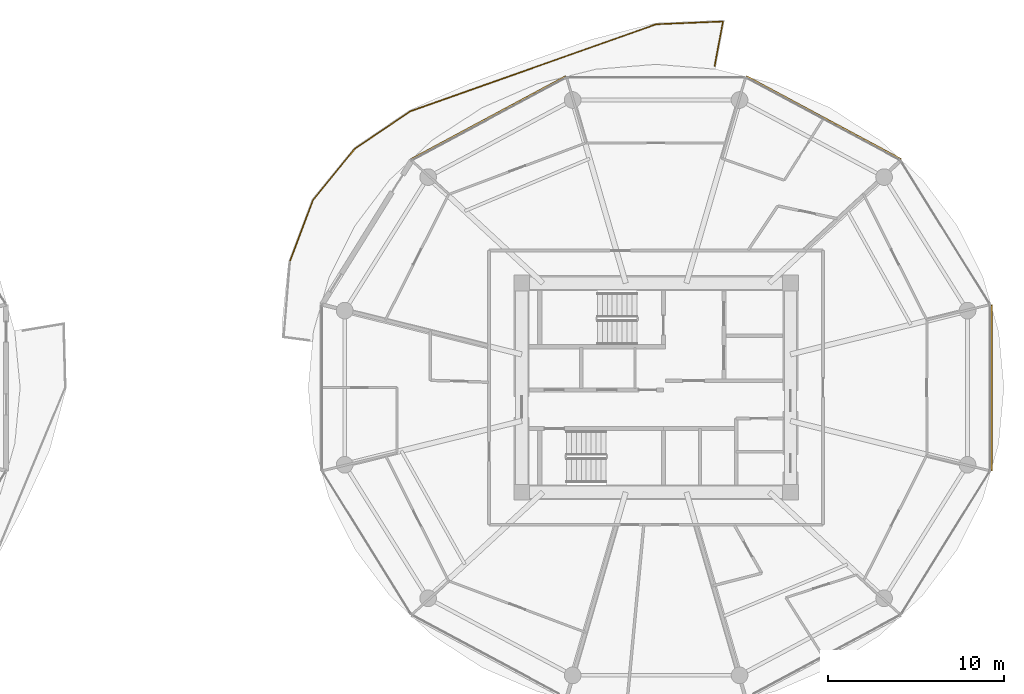
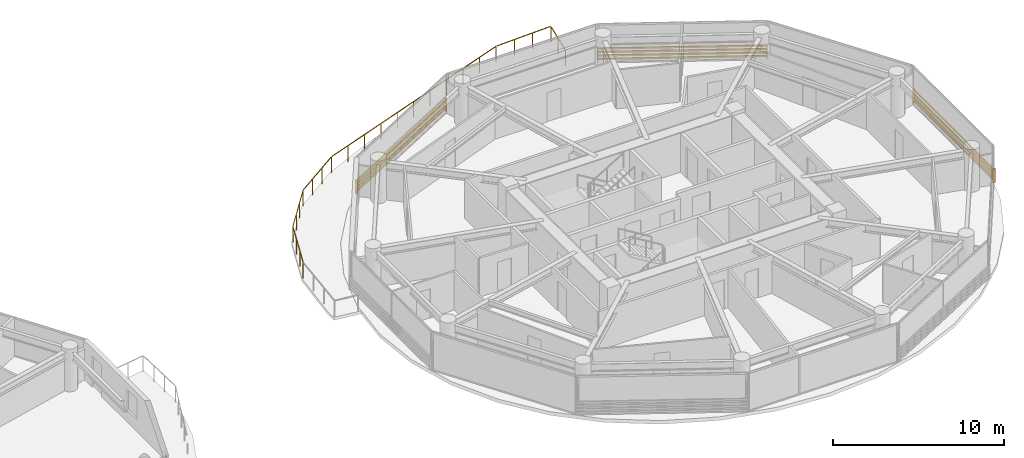
# One storey, part 27 of 27: 3 shading devices, 1 railing.
"""IFC4 building model written with IfcOpenShell, lengths in metres."""

from ifc_helpers import new_model, si_unit, direction, frame, origin, origin_2d, place, context, subcontext, project, spatial, rectangle, extrude, source, transform, mapped, material, type_object, type_shapes, element, save


model = new_model("IFC4")

# Units and contexts
model_context = context("Model", 3, precision=1e-05, world=origin(), true_north=direction((0.0, 1.0)))
body_context = subcontext(model_context, "Body", "Model", "MODEL_VIEW")
ifc_project = project(units=[si_unit("LENGTHUNIT", "METRE"), si_unit("AREAUNIT", "SQUARE_METRE"), si_unit("VOLUMEUNIT", "CUBIC_METRE"), si_unit("PLANEANGLEUNIT", "RADIAN"), si_unit("MASSUNIT", "GRAM", prefix="KILO")], contexts=[model_context])

# Site, building, storey
site_placement = place(None, origin())
site = spatial("IfcSite", under=ifc_project, at=site_placement, CompositionType="ELEMENT")
building_placement = place(site_placement, origin())
building = spatial("IfcBuilding", under=site, at=building_placement, Name="Norrkilde Senior Care Towers", CompositionType="ELEMENT")
storey_placement = place(building_placement, frame((0.0, 0.0, 58.199951171875)))
storey = spatial("IfcBuildingStorey", under=building, at=storey_placement, Name="L17", CompositionType="ELEMENT", Elevation=58.199951171875)

# Railing
ifc_material_1 = material(Name="Anodised Aluminium", Category="aluminium")
railing_type = type_object("IfcRailingType", Name="Balcony Swirl Ribbon Guardrail 1150", PredefinedType="GUARDRAIL", material=ifc_material_1)
railing_placement = place(storey_placement, frame((7.1552734375, 7.182373046875, 0.0)))
element("IfcRailing", 1, at=railing_placement, inside=storey, type_object=railing_type, Name="L17 Perimeter Safety Guard 01", PredefinedType="GUARDRAIL", context=body_context, shape_type="SweptSolid", body=[
    extrude(rectangle(XDim=0.048095703125, YDim=0.048095703125, at=origin_2d()), frame((0.0, 0.0, 1.1259765625), z_axis=(0.352740163137, 0.935721313912, 0.0), x_axis=(-0.935721313912, 0.352740163137, 0.0)), (0.0, 0.0, 1.0), 3.697998046875),
    extrude(rectangle(XDim=0.048095703125, YDim=0.048095703125, at=origin_2d()), frame((1.3447265625, 3.5302734375, 1.1259765625), z_axis=(0.632140033894, 0.774854165342, 0.0), x_axis=(-0.774854165342, 0.632140033894, 0.0)), (0.0, 0.0, 1.0), 3.68701171875),
    extrude(rectangle(XDim=0.048095703125, YDim=0.048095703125, at=origin_2d()), frame((3.735107421875, 6.441650390625, 1.1259765625), z_axis=(0.82800666103, 0.560718261956, 0.0), x_axis=(-0.560718261956, 0.82800666103, 0.0)), (0.0, 0.0, 1.0), 3.70068359375),
    extrude(rectangle(XDim=0.048095703125, YDim=0.048095703125, at=origin_2d()), frame((6.87158203125, 8.55322265625, 1.1259765625), z_axis=(0.942706391539, 0.333623529373, 0.0), x_axis=(-0.333623529373, 0.942706391539, 0.0)), (0.0, 0.0, 1.0), 14.7939453125),
    extrude(rectangle(XDim=0.048095703125, YDim=0.048095703125, at=origin_2d()), frame((20.897216796875, 13.504150390625, 1.1259765625), z_axis=(0.999133964522, 0.041609144892, 0.0), x_axis=(-0.041609144892, 0.999133964522, 0.0)), (0.0, 0.0, 1.0), 3.714599609375),
    extrude(rectangle(XDim=0.048095703125, YDim=0.048095703125, at=origin_2d()), frame((24.641845703125, 13.6201171875, 1.1259765625), z_axis=(-0.183327432598, -0.983051907306, 0.0), x_axis=(0.983051907306, -0.183327432598, 0.0)), (0.0, 0.0, 1.0), 2.535888671875),
    extrude(rectangle(XDim=0.0419921875, YDim=0.0419921875, at=origin_2d()), origin(), (0.0, 0.0, 1.0), 1.099853515625),
    extrude(rectangle(XDim=0.0419921875, YDim=0.0419921875, at=origin_2d()), frame((0.439697265625, 1.166259765625, 0.0)), (0.0, 0.0, 1.0), 1.099853515625),
    extrude(rectangle(XDim=0.0419921875, YDim=0.0419921875, at=origin_2d()), frame((0.879150390625, 2.332275390625, 0.0)), (0.0, 0.0, 1.0), 1.099853515625),
    extrude(rectangle(XDim=0.0419921875, YDim=0.0419921875, at=origin_2d()), frame((1.31884765625, 3.49853515625, 0.0)), (0.0, 0.0, 1.0), 1.099853515625),
    extrude(rectangle(XDim=0.0419921875, YDim=0.0419921875, at=origin_2d()), frame((2.113037109375, 4.471923828125, 0.0)), (0.0, 0.0, 1.0), 1.099853515625),
    extrude(rectangle(XDim=0.0419921875, YDim=0.0419921875, at=origin_2d()), frame((2.906982421875, 5.4453125, 0.0)), (0.0, 0.0, 1.0), 1.099853515625),
    extrude(rectangle(XDim=0.0419921875, YDim=0.0419921875, at=origin_2d()), frame((3.701171875, 6.418701171875, 0.0)), (0.0, 0.0, 1.0), 1.099853515625),
    extrude(rectangle(XDim=0.0419921875, YDim=0.0419921875, at=origin_2d()), frame((4.7451171875, 7.125732421875, 0.0)), (0.0, 0.0, 1.0), 1.099853515625),
    extrude(rectangle(XDim=0.0419921875, YDim=0.0419921875, at=origin_2d()), frame((5.7890625, 7.83251953125, 0.0)), (0.0, 0.0, 1.0), 1.099853515625),
    extrude(rectangle(XDim=0.0419921875, YDim=0.0419921875, at=origin_2d()), frame((6.8330078125, 8.53955078125, 0.0)), (0.0, 0.0, 1.0), 1.099853515625),
    extrude(rectangle(XDim=0.0419921875, YDim=0.0419921875, at=origin_2d()), frame((8.2353515625, 9.035888671875, 0.0)), (0.0, 0.0, 1.0), 1.099853515625),
    extrude(rectangle(XDim=0.0419921875, YDim=0.0419921875, at=origin_2d()), frame((9.6376953125, 9.5322265625, 0.0)), (0.0, 0.0, 1.0), 1.099853515625),
    extrude(rectangle(XDim=0.0419921875, YDim=0.0419921875, at=origin_2d()), frame((11.0400390625, 10.0283203125, 0.0)), (0.0, 0.0, 1.0), 1.099853515625),
    extrude(rectangle(XDim=0.0419921875, YDim=0.0419921875, at=origin_2d()), frame((12.4423828125, 10.524658203125, 0.0)), (0.0, 0.0, 1.0), 1.099853515625),
    extrude(rectangle(XDim=0.0419921875, YDim=0.0419921875, at=origin_2d()), frame((13.8447265625, 11.02099609375, 0.0)), (0.0, 0.0, 1.0), 1.099853515625),
    extrude(rectangle(XDim=0.0419921875, YDim=0.0419921875, at=origin_2d()), frame((15.2470703125, 11.517333984375, 0.0)), (0.0, 0.0, 1.0), 1.099853515625),
    extrude(rectangle(XDim=0.0419921875, YDim=0.0419921875, at=origin_2d()), frame((16.6494140625, 12.013671875, 0.0)), (0.0, 0.0, 1.0), 1.099853515625),
    extrude(rectangle(XDim=0.0419921875, YDim=0.0419921875, at=origin_2d()), frame((18.0517578125, 12.509765625, 0.0)), (0.0, 0.0, 1.0), 1.099853515625),
    extrude(rectangle(XDim=0.0419921875, YDim=0.0419921875, at=origin_2d()), frame((19.4541015625, 13.006103515625, 0.0)), (0.0, 0.0, 1.0), 1.099853515625),
    extrude(rectangle(XDim=0.0419921875, YDim=0.0419921875, at=origin_2d()), frame((20.8564453125, 13.50244140625, 0.0)), (0.0, 0.0, 1.0), 1.099853515625),
    extrude(rectangle(XDim=0.0419921875, YDim=0.0419921875, at=origin_2d()), frame((22.120849609375, 13.55517578125, 0.0)), (0.0, 0.0, 1.0), 1.099853515625),
    extrude(rectangle(XDim=0.0419921875, YDim=0.0419921875, at=origin_2d()), frame((23.385009765625, 13.607666015625, 0.0)), (0.0, 0.0, 1.0), 1.099853515625),
    extrude(rectangle(XDim=0.0419921875, YDim=0.0419921875, at=origin_2d()), frame((24.6494140625, 13.660400390625, 0.0)), (0.0, 0.0, 1.0), 1.099853515625),
    extrude(rectangle(XDim=0.0419921875, YDim=0.0419921875, at=origin_2d()), frame((24.4130859375, 12.393798828125, 0.0)), (0.0, 0.0, 1.0), 1.099853515625),
    extrude(rectangle(XDim=0.0419921875, YDim=0.0419921875, at=origin_2d()), frame((24.177001953125, 11.127197265625, 0.0)), (0.0, 0.0, 1.0), 1.099853515625),
])

# Shading devices
ifc_material_2 = material(Name="Architectural Terracotta", Category="masonry")
shading_device_type = type_object("IfcShadingDeviceType", Name="Horizontal Terracotta Baguette Rack", PredefinedType="USERDEFINED", material=ifc_material_2)
shared_shape_1 = source(origin(), body_context, "Body", "SweptSolid", [
    extrude(rectangle(XDim=0.070068359375, YDim=0.110107421875, at=origin_2d()), frame((0.0, 0.090087890625, 0.125), z_axis=(1.0, 0.0, 0.0), x_axis=(0.0, 1.0, 0.0)), (0.0, 0.0, 1.0), 10.0107421875),
    extrude(rectangle(XDim=0.070068359375, YDim=0.110107421875, at=origin_2d()), frame((0.0, 0.090087890625, 0.375), z_axis=(1.0, 0.0, 0.0), x_axis=(0.0, 1.0, 0.0)), (0.0, 0.0, 1.0), 10.0107421875),
    extrude(rectangle(XDim=0.070068359375, YDim=0.110107421875, at=origin_2d()), frame((0.0, 0.090087890625, 0.625), z_axis=(1.0, 0.0, 0.0), x_axis=(0.0, 1.0, 0.0)), (0.0, 0.0, 1.0), 10.0107421875),
    extrude(rectangle(XDim=0.070068359375, YDim=0.110107421875, at=origin_2d()), frame((0.0, 0.090087890625, 0.875), z_axis=(1.0, 0.0, 0.0), x_axis=(0.0, 1.0, 0.0)), (0.0, 0.0, 1.0), 10.0107421875),
    extrude(rectangle(XDim=0.050048828125, YDim=0.1552734375, at=origin_2d()), frame((0.02490234375, 0.047607421875, 0.0)), (0.0, 0.0, 1.0), 1.0),
    extrude(rectangle(XDim=0.050048828125, YDim=0.1552734375, at=origin_2d()), frame((9.98583984375, 0.047607421875, 0.0)), (0.0, 0.0, 1.0), 1.0),
])
for number, where, z_axis, x_axis, name in (
    (2, (33.093505859375, 17.6572265625, 0.080078125), (0.0, 0.0, 1.0), (0.881279875134, -0.472612428056, 0.0), "L17 Drum E Terracotta Baguette Screen 01"),
    (3, (14.084228515625, 12.926025390625, 0.080078125), (0.0, 0.0, 1.0), (0.881279875134, 0.472612428056, 0.0), "L17 Drum E Terracotta Baguette Screen 03"),
):
    element("IfcShadingDevice", number, at=place(storey_placement, frame(where, z_axis=z_axis, x_axis=x_axis)), inside=storey, type_object=shading_device_type, Name=name, ObjectType="BAGUETTE", PredefinedType="USERDEFINED", context=body_context, shape_type="MappedRepresentation", body=[
        mapped(shared_shape_1, transform((0.0, 0.0, 0.0), x_axis=(1.0, 0.0, 0.0), y_axis=(0.0, 1.0, 0.0), z_axis=(0.0, 0.0, 1.0), scale=1.0)),
    ])
shared_shape_2 = source(origin(), body_context, "Body", "SweptSolid", [
    extrude(rectangle(XDim=0.070068359375, YDim=0.110107421875, at=origin_2d()), frame((0.0, 0.090087890625, 0.125), z_axis=(1.0, 0.0, 0.0), x_axis=(0.0, 1.0, 0.0)), (0.0, 0.0, 1.0), 9.46240234375),
    extrude(rectangle(XDim=0.070068359375, YDim=0.110107421875, at=origin_2d()), frame((0.0, 0.090087890625, 0.375), z_axis=(1.0, 0.0, 0.0), x_axis=(0.0, 1.0, 0.0)), (0.0, 0.0, 1.0), 9.46240234375),
    extrude(rectangle(XDim=0.070068359375, YDim=0.110107421875, at=origin_2d()), frame((0.0, 0.090087890625, 0.625), z_axis=(1.0, 0.0, 0.0), x_axis=(0.0, 1.0, 0.0)), (0.0, 0.0, 1.0), 9.46240234375),
    extrude(rectangle(XDim=0.070068359375, YDim=0.110107421875, at=origin_2d()), frame((0.0, 0.090087890625, 0.875), z_axis=(1.0, 0.0, 0.0), x_axis=(0.0, 1.0, 0.0)), (0.0, 0.0, 1.0), 9.46240234375),
    extrude(rectangle(XDim=0.050048828125, YDim=0.1552734375, at=origin_2d()), frame((0.02490234375, 0.047607421875, 0.0)), (0.0, 0.0, 1.0), 1.0),
    extrude(rectangle(XDim=0.050048828125, YDim=0.1552734375, at=origin_2d()), frame((9.4375, 0.047607421875, 0.0)), (0.0, 0.0, 1.0), 1.0),
])
type_shapes(shading_device_type, [shared_shape_1, shared_shape_2])
shading_device_placement = place(storey_placement, frame((47.009521484375, 4.731201171875, 0.080078125), z_axis=(0.0, 0.0, 1.0), x_axis=(0.0, -1.0, 0.0)))
element("IfcShadingDevice", 4, at=shading_device_placement, inside=storey, type_object=shading_device_type, Name="L17 Drum E Terracotta Baguette Screen 11", ObjectType="BAGUETTE", PredefinedType="USERDEFINED", context=body_context, shape_type="MappedRepresentation", body=[
    mapped(shared_shape_2, transform((0.0, 0.0, 0.0), x_axis=(1.0, 0.0, 0.0), y_axis=(0.0, 1.0, 0.0), z_axis=(0.0, 0.0, 1.0), scale=1.0)),
])

save(model, "model.ifc")
